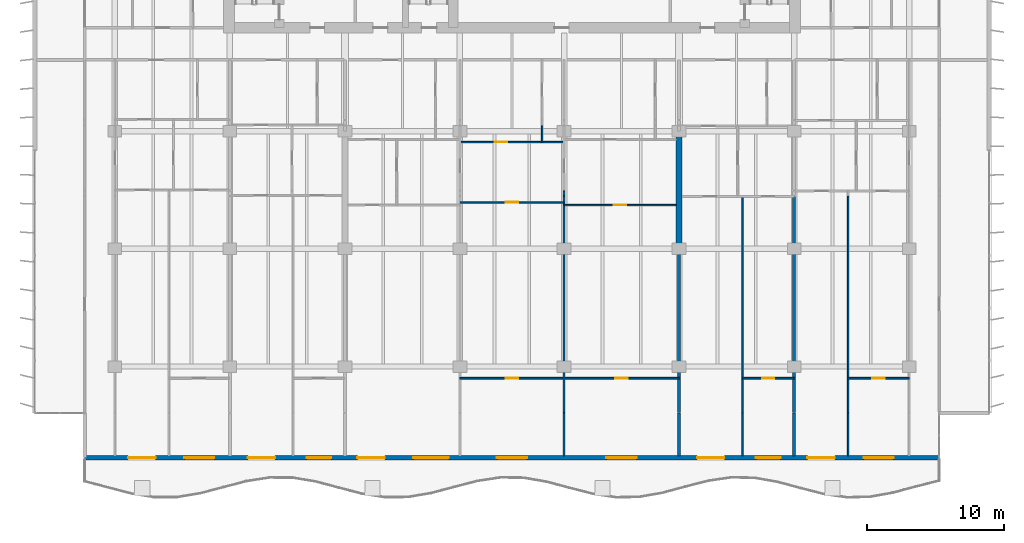
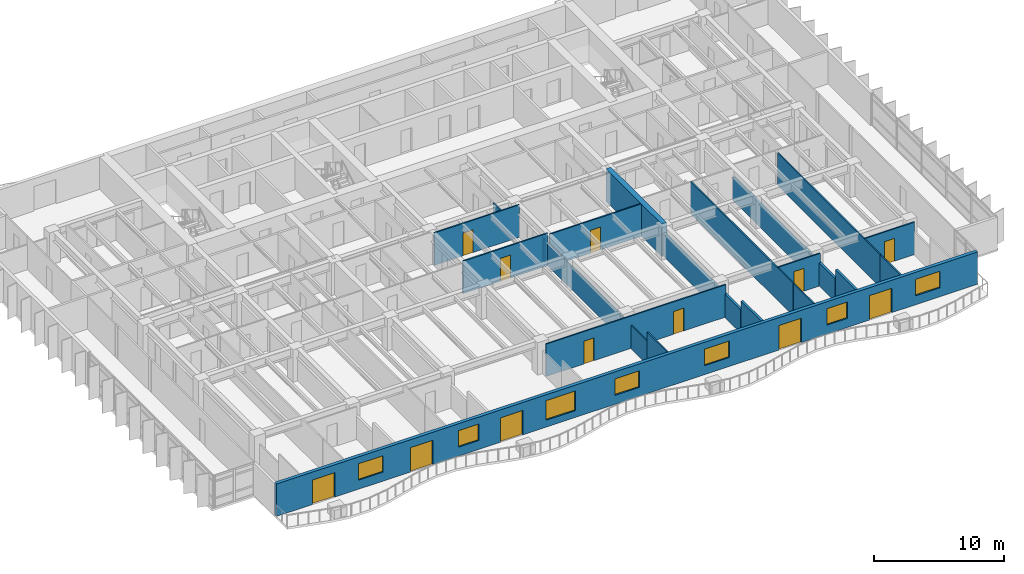
# One storey, part 8 of 17: 20 walls, 12 doors, 7 windows, 19 openings.
"""IFC4 building model written with IfcOpenShell, lengths in metres."""

from ifc_helpers import new_model, si_unit, direction, frame, frame_2d, origin, place, context, subcontext, project, spatial, rectangle, extrude, material, layer, layer_set, type_object, element, fill, save


model = new_model("IFC4")

# Units and contexts
model_context = context("Model", 3, precision=1e-05, world=origin(), true_north=direction((0.0, 1.0)))
body_context = subcontext(model_context, "Body", "Model", "MODEL_VIEW")
ifc_project = project(units=[si_unit("LENGTHUNIT", "METRE"), si_unit("AREAUNIT", "SQUARE_METRE"), si_unit("VOLUMEUNIT", "CUBIC_METRE"), si_unit("PLANEANGLEUNIT", "RADIAN"), si_unit("MASSUNIT", "GRAM", prefix="KILO")], contexts=[model_context])

# Site, building, storey
site_placement = place(None, origin())
site = spatial("IfcSite", under=ifc_project, at=site_placement, CompositionType="ELEMENT")
building_placement = place(site_placement, origin())
building = spatial("IfcBuilding", under=site, at=building_placement, Name="Caelmar Bay Residences", CompositionType="ELEMENT")
storey_placement = place(building_placement, frame((0.0, 0.0, 105.89990234375)))
storey = spatial("IfcBuildingStorey", under=building, at=storey_placement, Name="L28", CompositionType="ELEMENT", Elevation=105.89990234375)

# Wall
ifc_material_1 = material(Name="Concrete f'c 55 MPa (8,000 psi)", Category="concrete")
ifc_layer_1 = layer(ifc_material_1, 0.449951171875)
ifc_layer_set_1 = layer_set([ifc_layer_1], Name="Concrete f'c 55 MPa (8,000 psi)")
wall_type_1 = type_object("IfcWallType", Name="SW-XSLB-450", PredefinedType="SHEAR", material=ifc_layer_set_1)
wall_1_placement = place(storey_placement, frame((51.10009765625, 20.800048828125, 0.0), z_axis=(0.0, 0.0, 1.0), x_axis=(0.0, 1.0, 0.0)))
element("IfcWall", 1, at=wall_1_placement, inside=storey, type_object=wall_type_1, Name="L28 Transverse Cross-Slab Shear Wall E8", PredefinedType="SHEAR", context=body_context, shape_type="SweptSolid", body=[
    extrude(rectangle(XDim=8.599853515625, YDim=0.449951171875, at=frame_2d((4.2998046875, 0.0))), origin(), (0.0, 0.0, 1.0), 3.050048828125),
])

# Wall, openings, doors, windows
ifc_material_2 = material(Name="Precast concrete f'c 40 MPa (6,000 psi)", Category="concrete")
ifc_layer_2 = layer(ifc_material_2, 0.300048828125)
ifc_layer_set_2 = layer_set([ifc_layer_2], Name="Precast concrete f'c 40 MPa (6,000 psi)")
wall_type_2 = type_object("IfcWallType", Name="W-EXT-300", PredefinedType="STANDARD", material=ifc_layer_set_2)
wall_2_placement = place(storey_placement, frame((70.10009765625, 5.550048828125, 0.0), z_axis=(0.0, 0.0, 1.0), x_axis=(-1.0, 0.0, 0.0)))
wall_2 = element("IfcWall", 2, at=wall_2_placement, inside=storey, type_object=wall_type_2, Name="L28 South Bayfront Exterior Wall", PredefinedType="STANDARD", context=body_context, shape_type="SweptSolid", body=[
    extrude(rectangle(XDim=62.400146484375, YDim=0.300048828125, at=frame_2d((31.2001953125, 0.0))), origin(), (0.0, 0.0, 1.0), 3.050048828125),
])
opening_1_placement = place(wall_2_placement, frame((57.22607421875, 0.0, 0.0)))
opening_1 = element("IfcOpeningElement", 3, at=opening_1_placement, cuts=wall_2, Name="Opening L28-BD01", PredefinedType="OPENING", context=body_context, shape_type="SweptSolid", body=[
    extrude(rectangle(XDim=2.0, YDim=2.300048828125, at=frame_2d((1.0, 1.14990234375))), frame((0.0, 0.159912109375, 0.0), z_axis=(0.0, -1.0, 0.0), x_axis=(1.0, 0.0, 0.0)), (0.0, 0.0, 1.0), 0.320068359375),
])
opening_2_placement = place(wall_2_placement, frame((52.926025390625, 0.0, 0.85009765625)))
opening_2 = element("IfcOpeningElement", 4, at=opening_2_placement, cuts=wall_2, Name="Opening WN2", PredefinedType="OPENING", context=body_context, shape_type="SweptSolid", body=[
    extrude(rectangle(XDim=2.199951171875, YDim=1.550048828125, at=frame_2d((1.10009765625, 0.77490234375))), frame((0.0, 0.159912109375, 0.0), z_axis=(0.0, -1.0, 0.0), x_axis=(1.0, 0.0, 0.0)), (0.0, 0.0, 1.0), 0.320068359375),
])
opening_3_placement = place(wall_2_placement, frame((48.489990234375, 0.0, 0.0)))
opening_3 = element("IfcOpeningElement", 5, at=opening_3_placement, cuts=wall_2, Name="Opening L28-BD02", PredefinedType="OPENING", context=body_context, shape_type="SweptSolid", body=[
    extrude(rectangle(XDim=2.0, YDim=2.300048828125, at=frame_2d((1.0, 1.14990234375))), frame((0.0, 0.159912109375, 0.0), z_axis=(0.0, -1.0, 0.0), x_axis=(1.0, 0.0, 0.0)), (0.0, 0.0, 1.0), 0.320068359375),
])
opening_4_placement = place(wall_2_placement, frame((44.389892578125, 0.0, 0.85009765625)))
opening_4 = element("IfcOpeningElement", 6, at=opening_4_placement, cuts=wall_2, Name="Opening WN1", PredefinedType="OPENING", context=body_context, shape_type="SweptSolid", body=[
    extrude(rectangle(XDim=1.800048828125, YDim=1.550048828125, at=frame_2d((0.89990234375, 0.77490234375))), frame((0.0, 0.159912109375, 0.0), z_axis=(0.0, -1.0, 0.0), x_axis=(1.0, 0.0, 0.0)), (0.0, 0.0, 1.0), 0.320068359375),
])
opening_5_placement = place(wall_2_placement, frame((40.489990234375, 0.0, 0.0)))
opening_5 = element("IfcOpeningElement", 7, at=opening_5_placement, cuts=wall_2, Name="Opening L28-BD03", PredefinedType="OPENING", context=body_context, shape_type="SweptSolid", body=[
    extrude(rectangle(XDim=2.0, YDim=2.300048828125, at=frame_2d((1.0, 1.14990234375))), frame((0.0, 0.159912109375, 0.0), z_axis=(0.0, -1.0, 0.0), x_axis=(1.0, 0.0, 0.0)), (0.0, 0.0, 1.0), 0.320068359375),
])
opening_6_placement = place(wall_2_placement, frame((35.81005859375, 0.0, 0.64990234375)))
opening_6 = element("IfcOpeningElement", 8, at=opening_6_placement, cuts=wall_2, Name="Opening WN3", PredefinedType="OPENING", context=body_context, shape_type="SweptSolid", body=[
    extrude(rectangle(XDim=2.60009765625, YDim=1.85009765625, at=frame_2d((1.300048828125, 0.925048828125))), frame((0.0, 0.159912109375, 0.0), z_axis=(0.0, -1.0, 0.0), x_axis=(1.0, 0.0, 0.0)), (0.0, 0.0, 1.0), 0.320068359375),
])
opening_7_placement = place(wall_2_placement, frame((30.10009765625, 0.0, 0.85009765625)))
opening_7 = element("IfcOpeningElement", 9, at=opening_7_placement, cuts=wall_2, Name="Opening WN2", PredefinedType="OPENING", context=body_context, shape_type="SweptSolid", body=[
    extrude(rectangle(XDim=2.199951171875, YDim=1.550048828125, at=frame_2d((1.10009765625, 0.77490234375))), frame((0.0, 0.159912109375, 0.0), z_axis=(0.0, -1.0, 0.0), x_axis=(1.0, 0.0, 0.0)), (0.0, 0.0, 1.0), 0.320068359375),
])
opening_8_placement = place(wall_2_placement, frame((22.10009765625, 0.0, 0.85009765625)))
opening_8 = element("IfcOpeningElement", 10, at=opening_8_placement, cuts=wall_2, Name="Opening WN2", PredefinedType="OPENING", context=body_context, shape_type="SweptSolid", body=[
    extrude(rectangle(XDim=2.199951171875, YDim=1.550048828125, at=frame_2d((1.10009765625, 0.77490234375))), frame((0.0, 0.159912109375, 0.0), z_axis=(0.0, -1.0, 0.0), x_axis=(1.0, 0.0, 0.0)), (0.0, 0.0, 1.0), 0.320068359375),
])
opening_9_placement = place(wall_2_placement, frame((15.68994140625, 0.0, 0.0)))
opening_9 = element("IfcOpeningElement", 11, at=opening_9_placement, cuts=wall_2, Name="Opening L28-BD04", PredefinedType="OPENING", context=body_context, shape_type="SweptSolid", body=[
    extrude(rectangle(XDim=2.0, YDim=2.300048828125, at=frame_2d((1.0, 1.14990234375))), frame((0.0, 0.159912109375, 0.0), z_axis=(0.0, -1.0, 0.0), x_axis=(1.0, 0.0, 0.0)), (0.0, 0.0, 1.0), 0.320068359375),
])
opening_10_placement = place(wall_2_placement, frame((11.590087890625, 0.0, 0.85009765625)))
opening_10 = element("IfcOpeningElement", 12, at=opening_10_placement, cuts=wall_2, Name="Opening WN1", PredefinedType="OPENING", context=body_context, shape_type="SweptSolid", body=[
    extrude(rectangle(XDim=1.800048828125, YDim=1.550048828125, at=frame_2d((0.89990234375, 0.77490234375))), frame((0.0, 0.159912109375, 0.0), z_axis=(0.0, -1.0, 0.0), x_axis=(1.0, 0.0, 0.0)), (0.0, 0.0, 1.0), 0.320068359375),
])
opening_11_placement = place(wall_2_placement, frame((7.6259765625, 0.0, 0.0)))
opening_11 = element("IfcOpeningElement", 13, at=opening_11_placement, cuts=wall_2, Name="Opening L28-BD05", PredefinedType="OPENING", context=body_context, shape_type="SweptSolid", body=[
    extrude(rectangle(XDim=2.0, YDim=2.300048828125, at=frame_2d((1.0, 1.14990234375))), frame((0.0, 0.159912109375, 0.0), z_axis=(0.0, -1.0, 0.0), x_axis=(1.0, 0.0, 0.0)), (0.0, 0.0, 1.0), 0.320068359375),
])
opening_12_placement = place(wall_2_placement, frame((3.325927734375, 0.0, 0.85009765625)))
opening_12 = element("IfcOpeningElement", 14, at=opening_12_placement, cuts=wall_2, Name="Opening WN2", PredefinedType="OPENING", context=body_context, shape_type="SweptSolid", body=[
    extrude(rectangle(XDim=2.199951171875, YDim=1.550048828125, at=frame_2d((1.10009765625, 0.77490234375))), frame((0.0, 0.159912109375, 0.0), z_axis=(0.0, -1.0, 0.0), x_axis=(1.0, 0.0, 0.0)), (0.0, 0.0, 1.0), 0.320068359375),
])
ifc_material_3 = material(Name="Anodised bronze thermally broken sliding glass door", Category="glass")
ifc_layer_3 = layer(ifc_material_3, 0.050048828125)
ifc_layer_set_3 = layer_set([ifc_layer_3], Name="Anodised bronze thermally broken sliding glass door")
door_type_1 = type_object("IfcDoorType", Name="D-BAL-2000", OperationType="DOUBLE_DOOR_SLIDING", PredefinedType="DOOR", material=ifc_layer_set_3)
door_1_placement = place(opening_1_placement, origin())
door_1 = element("IfcDoor", 15, at=door_1_placement, inside=storey, type_object=door_type_1, Name="L28 Residence 01 Penthouse Living Salon Balcony Door", OperationType="DOUBLE_DOOR_SLIDING", OverallHeight=2.300048828125, OverallWidth=2.0, PredefinedType="DOOR", context=body_context, shape_type="SweptSolid", body=[
    extrude(rectangle(XDim=2.0, YDim=2.300048828125, at=frame_2d((1.0, 1.14990234375))), frame((0.0, 0.02490234375, 0.0), z_axis=(0.0, -1.0, 0.0), x_axis=(1.0, 0.0, 0.0)), (0.0, 0.0, 1.0), 0.050048828125),
])
fill(opening_1, door_1)
door_2_placement = place(opening_3_placement, origin())
door_2 = element("IfcDoor", 16, at=door_2_placement, inside=storey, type_object=door_type_1, Name="L28 Residence 02 Penthouse Living Salon Balcony Door", OperationType="DOUBLE_DOOR_SLIDING", OverallHeight=2.300048828125, OverallWidth=2.0, PredefinedType="DOOR", context=body_context, shape_type="SweptSolid", body=[
    extrude(rectangle(XDim=2.0, YDim=2.300048828125, at=frame_2d((1.0, 1.14990234375))), frame((0.0, 0.02490234375, 0.0), z_axis=(0.0, -1.0, 0.0), x_axis=(1.0, 0.0, 0.0)), (0.0, 0.0, 1.0), 0.050048828125),
])
fill(opening_3, door_2)
door_3_placement = place(opening_5_placement, origin())
door_3 = element("IfcDoor", 17, at=door_3_placement, inside=storey, type_object=door_type_1, Name="L28 Residence 03 Penthouse Living Salon Balcony Door", OperationType="DOUBLE_DOOR_SLIDING", OverallHeight=2.300048828125, OverallWidth=2.0, PredefinedType="DOOR", context=body_context, shape_type="SweptSolid", body=[
    extrude(rectangle(XDim=2.0, YDim=2.300048828125, at=frame_2d((1.0, 1.14990234375))), frame((0.0, 0.02490234375, 0.0), z_axis=(0.0, -1.0, 0.0), x_axis=(1.0, 0.0, 0.0)), (0.0, 0.0, 1.0), 0.050048828125),
])
fill(opening_5, door_3)
door_4_placement = place(opening_9_placement, origin())
door_4 = element("IfcDoor", 18, at=door_4_placement, inside=storey, type_object=door_type_1, Name="L28 Residence 04 Penthouse Living Salon Balcony Door", OperationType="DOUBLE_DOOR_SLIDING", OverallHeight=2.300048828125, OverallWidth=2.0, PredefinedType="DOOR", context=body_context, shape_type="SweptSolid", body=[
    extrude(rectangle(XDim=2.0, YDim=2.300048828125, at=frame_2d((1.0, 1.14990234375))), frame((0.0, 0.02490234375, 0.0), z_axis=(0.0, -1.0, 0.0), x_axis=(1.0, 0.0, 0.0)), (0.0, 0.0, 1.0), 0.050048828125),
])
fill(opening_9, door_4)
door_5_placement = place(opening_11_placement, origin())
door_5 = element("IfcDoor", 19, at=door_5_placement, inside=storey, type_object=door_type_1, Name="L28 Residence 05 Penthouse Living Salon Balcony Door", OperationType="DOUBLE_DOOR_SLIDING", OverallHeight=2.300048828125, OverallWidth=2.0, PredefinedType="DOOR", context=body_context, shape_type="SweptSolid", body=[
    extrude(rectangle(XDim=2.0, YDim=2.300048828125, at=frame_2d((1.0, 1.14990234375))), frame((0.0, 0.02490234375, 0.0), z_axis=(0.0, -1.0, 0.0), x_axis=(1.0, 0.0, 0.0)), (0.0, 0.0, 1.0), 0.050048828125),
])
fill(opening_11, door_5)
ifc_material_4 = material(Name="Bronze aluminium frame with laminated low-E glass", Category="aluminium")
ifc_layer_4 = layer(ifc_material_4, 0.06005859375)
ifc_layer_set_4 = layer_set([ifc_layer_4], Name="Bronze aluminium frame with laminated low-E glass")
window_type_1 = type_object("IfcWindowType", Name="WIN-BR-1800", PartitioningType="SINGLE_PANEL", PredefinedType="WINDOW", material=ifc_layer_set_4)
window_1_placement = place(opening_4_placement, origin())
window_1 = element("IfcWindow", 20, at=window_1_placement, inside=storey, type_object=window_type_1, Name="L28 Residence 02 Primary Bedroom Window", OverallHeight=1.550048828125, OverallWidth=1.800048828125, PartitioningType="SINGLE_PANEL", PredefinedType="WINDOW", context=body_context, shape_type="SweptSolid", body=[
    extrude(rectangle(XDim=1.800048828125, YDim=1.550048828125, at=frame_2d((0.89990234375, 0.77490234375))), frame((0.0, 0.030029296875, 0.0), z_axis=(0.0, -1.0, 0.0), x_axis=(1.0, 0.0, 0.0)), (0.0, 0.0, 1.0), 0.06005859375),
])
fill(opening_4, window_1)
window_2_placement = place(opening_10_placement, origin())
window_2 = element("IfcWindow", 21, at=window_2_placement, inside=storey, type_object=window_type_1, Name="L28 Residence 04 Primary Bedroom Window", OverallHeight=1.550048828125, OverallWidth=1.800048828125, PartitioningType="SINGLE_PANEL", PredefinedType="WINDOW", context=body_context, shape_type="SweptSolid", body=[
    extrude(rectangle(XDim=1.800048828125, YDim=1.550048828125, at=frame_2d((0.89990234375, 0.77490234375))), frame((0.0, 0.030029296875, 0.0), z_axis=(0.0, -1.0, 0.0), x_axis=(1.0, 0.0, 0.0)), (0.0, 0.0, 1.0), 0.06005859375),
])
fill(opening_10, window_2)
ifc_layer_5 = layer(ifc_material_4, 0.06005859375)
ifc_layer_set_5 = layer_set([ifc_layer_5], Name="Bronze aluminium frame with laminated low-E glass")
window_type_2 = type_object("IfcWindowType", Name="WIN-BR-2200", PartitioningType="SINGLE_PANEL", PredefinedType="WINDOW", material=ifc_layer_set_5)
window_3_placement = place(opening_2_placement, origin())
window_3 = element("IfcWindow", 22, at=window_3_placement, inside=storey, type_object=window_type_2, Name="L28 Residence 01 Primary Bedroom Window", OverallHeight=1.550048828125, OverallWidth=2.199951171875, PartitioningType="SINGLE_PANEL", PredefinedType="WINDOW", context=body_context, shape_type="SweptSolid", body=[
    extrude(rectangle(XDim=2.199951171875, YDim=1.550048828125, at=frame_2d((1.10009765625, 0.77490234375))), frame((0.0, 0.030029296875, 0.0), z_axis=(0.0, -1.0, 0.0), x_axis=(1.0, 0.0, 0.0)), (0.0, 0.0, 1.0), 0.06005859375),
])
fill(opening_2, window_3)
window_4_placement = place(opening_7_placement, origin())
window_4 = element("IfcWindow", 23, at=window_4_placement, inside=storey, type_object=window_type_2, Name="L28 Residence 03 Primary Bedroom 1 Window", OverallHeight=1.550048828125, OverallWidth=2.199951171875, PartitioningType="SINGLE_PANEL", PredefinedType="WINDOW", context=body_context, shape_type="SweptSolid", body=[
    extrude(rectangle(XDim=2.199951171875, YDim=1.550048828125, at=frame_2d((1.10009765625, 0.77490234375))), frame((0.0, 0.030029296875, 0.0), z_axis=(0.0, -1.0, 0.0), x_axis=(1.0, 0.0, 0.0)), (0.0, 0.0, 1.0), 0.06005859375),
])
fill(opening_7, window_4)
window_5_placement = place(opening_8_placement, origin())
window_5 = element("IfcWindow", 24, at=window_5_placement, inside=storey, type_object=window_type_2, Name="L28 Residence 03 Primary Bedroom 2 Window", OverallHeight=1.550048828125, OverallWidth=2.199951171875, PartitioningType="SINGLE_PANEL", PredefinedType="WINDOW", context=body_context, shape_type="SweptSolid", body=[
    extrude(rectangle(XDim=2.199951171875, YDim=1.550048828125, at=frame_2d((1.10009765625, 0.77490234375))), frame((0.0, 0.030029296875, 0.0), z_axis=(0.0, -1.0, 0.0), x_axis=(1.0, 0.0, 0.0)), (0.0, 0.0, 1.0), 0.06005859375),
])
fill(opening_8, window_5)
window_6_placement = place(opening_12_placement, origin())
window_6 = element("IfcWindow", 25, at=window_6_placement, inside=storey, type_object=window_type_2, Name="L28 Residence 05 Primary Bedroom Window", OverallHeight=1.550048828125, OverallWidth=2.199951171875, PartitioningType="SINGLE_PANEL", PredefinedType="WINDOW", context=body_context, shape_type="SweptSolid", body=[
    extrude(rectangle(XDim=2.199951171875, YDim=1.550048828125, at=frame_2d((1.10009765625, 0.77490234375))), frame((0.0, 0.030029296875, 0.0), z_axis=(0.0, -1.0, 0.0), x_axis=(1.0, 0.0, 0.0)), (0.0, 0.0, 1.0), 0.06005859375),
])
fill(opening_12, window_6)
ifc_layer_6 = layer(ifc_material_4, 0.06005859375)
ifc_layer_set_6 = layer_set([ifc_layer_6], Name="Bronze aluminium frame with laminated low-E glass")
window_type_3 = type_object("IfcWindowType", Name="WIN-LIV-2600", PartitioningType="SINGLE_PANEL", PredefinedType="WINDOW", material=ifc_layer_set_6)
window_7_placement = place(opening_6_placement, origin())
window_7 = element("IfcWindow", 26, at=window_7_placement, inside=storey, type_object=window_type_3, Name="L28 Residence 03 Penthouse Living Salon Panoramic Window", OverallHeight=1.85009765625, OverallWidth=2.60009765625, PartitioningType="SINGLE_PANEL", PredefinedType="WINDOW", context=body_context, shape_type="SweptSolid", body=[
    extrude(rectangle(XDim=2.60009765625, YDim=1.85009765625, at=frame_2d((1.300048828125, 0.925048828125))), frame((0.0, 0.030029296875, 0.0), z_axis=(0.0, -1.0, 0.0), x_axis=(1.0, 0.0, 0.0)), (0.0, 0.0, 1.0), 0.06005859375),
])
fill(opening_6, window_7)

# Walls
ifc_material_5 = material(Name="Acoustic metal-stud gypsum partition 120 mm")
ifc_layer_7 = layer(ifc_material_5, 0.1201171875)
ifc_layer_set_7 = layer_set([ifc_layer_7], Name="Acoustic metal-stud gypsum partition 120 mm")
wall_type_3 = type_object("IfcWallType", Name="W-PRT-120", PredefinedType="PARTITIONING", material=ifc_layer_set_7)
wall_3_placement = place(storey_placement, frame((41.10009765625, 28.60009765625, 0.0), z_axis=(0.0, 0.0, 1.0), x_axis=(0.0, 1.0, 0.0)))
element("IfcWall", 27, at=wall_3_placement, inside=storey, type_object=wall_type_3, Name="L28 Partition Wall V060", PredefinedType="PARTITIONING", context=body_context, shape_type="SweptSolid", body=[
    extrude(rectangle(XDim=1.179931640625, YDim=0.1201171875, at=frame_2d((0.58984375, 0.0))), origin(), (0.0, 0.0, 1.0), 3.050048828125),
])
wall_4_placement = place(storey_placement, frame((42.699951171875, 5.695068359375, 0.0), z_axis=(0.0, 0.0, 1.0), x_axis=(0.0, 1.0, 0.0)))
element("IfcWall", 28, at=wall_4_placement, inside=storey, type_object=wall_type_3, Name="L28 Partition Wall V063", PredefinedType="PARTITIONING", context=body_context, shape_type="SweptSolid", body=[
    extrude(rectangle(XDim=3.10498046875, YDim=0.1201171875, at=frame_2d((1.552490234375, 0.0))), origin(), (0.0, 0.0, 1.0), 3.050048828125),
])
wall_5_placement = place(storey_placement, frame((42.699951171875, 8.840087890625, 0.0), z_axis=(0.0, 0.0, 1.0), x_axis=(0.0, 1.0, 0.0)))
element("IfcWall", 29, at=wall_5_placement, inside=storey, type_object=wall_type_3, Name="L28 Partition Wall V064", PredefinedType="PARTITIONING", context=body_context, shape_type="SweptSolid", body=[
    extrude(rectangle(XDim=15.789794921875, YDim=0.1201171875, at=frame_2d((7.89501953125, 0.0))), origin(), (0.0, 0.0, 1.0), 2.174072265625),
])
wall_6_placement = place(storey_placement, frame((42.699951171875, 24.68994140625, 0.0), z_axis=(0.0, 0.0, 1.0), x_axis=(0.0, 1.0, 0.0)))
element("IfcWall", 30, at=wall_6_placement, inside=storey, type_object=wall_type_3, Name="L28 Partition Wall V065", PredefinedType="PARTITIONING", context=body_context, shape_type="SweptSolid", body=[
    extrude(rectangle(XDim=0.340087890625, YDim=0.1201171875, at=frame_2d((0.169921875, 0.0))), origin(), (0.0, 0.0, 1.0), 2.174072265625),
])
wall_7_placement = place(storey_placement, frame((55.719970703125, 5.695068359375, 0.0), z_axis=(0.0, 0.0, 1.0), x_axis=(0.0, 1.0, 0.0)))
element("IfcWall", 31, at=wall_7_placement, inside=storey, type_object=wall_type_3, Name="L28 Partition Wall V087", PredefinedType="PARTITIONING", context=body_context, shape_type="SweptSolid", body=[
    extrude(rectangle(XDim=3.10498046875, YDim=0.1201171875, at=frame_2d((1.552490234375, 0.0))), origin(), (0.0, 0.0, 1.0), 3.050048828125),
])
wall_8_placement = place(storey_placement, frame((55.719970703125, 8.840087890625, 0.0), z_axis=(0.0, 0.0, 1.0), x_axis=(0.0, 1.0, 0.0)))
element("IfcWall", 32, at=wall_8_placement, inside=storey, type_object=wall_type_3, Name="L28 Partition Wall V088", PredefinedType="PARTITIONING", context=body_context, shape_type="SweptSolid", body=[
    extrude(rectangle(XDim=15.789794921875, YDim=0.1201171875, at=frame_2d((7.89501953125, 0.0))), origin(), (0.0, 0.0, 1.0), 3.050048828125),
])
wall_9_placement = place(storey_placement, frame((63.447998046875, 5.695068359375, 0.0), z_axis=(0.0, 0.0, 1.0), x_axis=(0.0, 1.0, 0.0)))
element("IfcWall", 33, at=wall_9_placement, inside=storey, type_object=wall_type_3, Name="L28 Partition Wall V099", PredefinedType="PARTITIONING", context=body_context, shape_type="SweptSolid", body=[
    extrude(rectangle(XDim=3.10498046875, YDim=0.1201171875, at=frame_2d((1.552490234375, 0.0))), origin(), (0.0, 0.0, 1.0), 3.050048828125),
])
wall_10_placement = place(storey_placement, frame((63.447998046875, 8.840087890625, 0.0), z_axis=(0.0, 0.0, 1.0), x_axis=(0.0, 1.0, 0.0)))
element("IfcWall", 34, at=wall_10_placement, inside=storey, type_object=wall_type_3, Name="L28 Partition Wall V100", PredefinedType="PARTITIONING", context=body_context, shape_type="SweptSolid", body=[
    extrude(rectangle(XDim=15.789794921875, YDim=0.1201171875, at=frame_2d((7.89501953125, 0.0))), origin(), (0.0, 0.0, 1.0), 3.050048828125),
])

# Wall, openings, doors
wall_11_placement = place(storey_placement, frame((35.10009765625, 11.35009765625, 0.0), z_axis=(0.0, 0.0, 1.0), x_axis=(1.0, 0.0, 0.0)))
wall_11 = element("IfcWall", 35, at=wall_11_placement, inside=storey, type_object=wall_type_3, Name="L28 Partition Wall H122", PredefinedType="PARTITIONING", context=body_context, shape_type="SweptSolid", body=[
    extrude(rectangle(XDim=16.0, YDim=0.1201171875, at=frame_2d((8.0, 0.0))), origin(), (0.0, 0.0, 1.0), 3.050048828125),
])
opening_13_placement = place(wall_11_placement, frame((3.35009765625, 0.0, 0.0)))
opening_13 = element("IfcOpeningElement", 36, at=opening_13_placement, cuts=wall_11, Name="Opening D-L28-148", PredefinedType="OPENING", context=body_context, shape_type="SweptSolid", body=[
    extrude(rectangle(XDim=0.89990234375, YDim=2.14990234375, at=frame_2d((0.449951171875, 1.074951171875))), frame((0.0, 0.070068359375, 0.0), z_axis=(0.0, -1.0, 0.0), x_axis=(1.0, 0.0, 0.0)), (0.0, 0.0, 1.0), 0.14013671875),
])
opening_14_placement = place(wall_11_placement, frame((11.35009765625, 0.0, 0.0)))
opening_14 = element("IfcOpeningElement", 37, at=opening_14_placement, cuts=wall_11, Name="Opening D-L28-153", PredefinedType="OPENING", context=body_context, shape_type="SweptSolid", body=[
    extrude(rectangle(XDim=0.89990234375, YDim=2.14990234375, at=frame_2d((0.449951171875, 1.074951171875))), frame((0.0, 0.070068359375, 0.0), z_axis=(0.0, -1.0, 0.0), x_axis=(1.0, 0.0, 0.0)), (0.0, 0.0, 1.0), 0.14013671875),
])
ifc_material_6 = material(Name="Solid walnut timber interior door leaf and frame", Category="wood")
ifc_layer_8 = layer(ifc_material_6, 0.050048828125)
ifc_layer_set_8 = layer_set([ifc_layer_8], Name="Solid walnut timber interior door leaf and frame")
door_type_2 = type_object("IfcDoorType", Name="D-ROOM-900", OperationType="NOTDEFINED", PredefinedType="DOOR", material=ifc_layer_set_8)
door_6_placement = place(opening_13_placement, origin())
door_6 = element("IfcDoor", 38, at=door_6_placement, inside=storey, type_object=door_type_2, Name="L28 Residence 03 Primary Bedroom 1 Door", OperationType="SINGLE_SWING_RIGHT", OverallHeight=2.14990234375, OverallWidth=0.89990234375, PredefinedType="DOOR", context=body_context, shape_type="SweptSolid", body=[
    extrude(rectangle(XDim=0.89990234375, YDim=2.14990234375, at=frame_2d((0.449951171875, 1.074951171875))), frame((0.0, 0.02490234375, 0.0), z_axis=(0.0, -1.0, 0.0), x_axis=(1.0, 0.0, 0.0)), (0.0, 0.0, 1.0), 0.050048828125),
])
fill(opening_13, door_6)
door_7_placement = place(opening_14_placement, origin())
door_7 = element("IfcDoor", 39, at=door_7_placement, inside=storey, type_object=door_type_2, Name="L28 Residence 03 Primary Bedroom 2 Door", OperationType="SINGLE_SWING_LEFT", OverallHeight=2.14990234375, OverallWidth=0.89990234375, PredefinedType="DOOR", context=body_context, shape_type="SweptSolid", body=[
    extrude(rectangle(XDim=0.89990234375, YDim=2.14990234375, at=frame_2d((0.449951171875, 1.074951171875))), frame((0.0, 0.02490234375, 0.0), z_axis=(0.0, -1.0, 0.0), x_axis=(1.0, 0.0, 0.0)), (0.0, 0.0, 1.0), 0.050048828125),
])
fill(opening_14, door_7)

# Wall, opening, door
wall_12_placement = place(storey_placement, frame((55.719970703125, 11.35009765625, 0.0), z_axis=(0.0, 0.0, 1.0), x_axis=(1.0, 0.0, 0.0)))
wall_12 = element("IfcWall", 40, at=wall_12_placement, inside=storey, type_object=wall_type_3, Name="L28 Partition Wall H123", PredefinedType="PARTITIONING", context=body_context, shape_type="SweptSolid", body=[
    extrude(rectangle(XDim=3.780029296875, YDim=0.1201171875, at=frame_2d((1.89013671875, 0.0))), origin(), (0.0, 0.0, 1.0), 3.050048828125),
])
opening_15_placement = place(wall_12_placement, frame((1.43994140625, 0.0, 0.0)))
opening_15 = element("IfcOpeningElement", 41, at=opening_15_placement, cuts=wall_12, Name="Opening D-L28-160", PredefinedType="OPENING", context=body_context, shape_type="SweptSolid", body=[
    extrude(rectangle(XDim=0.89990234375, YDim=2.14990234375, at=frame_2d((0.449951171875, 1.074951171875))), frame((0.0, 0.070068359375, 0.0), z_axis=(0.0, -1.0, 0.0), x_axis=(1.0, 0.0, 0.0)), (0.0, 0.0, 1.0), 0.14013671875),
])
door_8_placement = place(opening_15_placement, origin())
door_8 = element("IfcDoor", 42, at=door_8_placement, inside=storey, type_object=door_type_2, Name="L28 Residence 04 Primary Bedroom Door", OperationType="SINGLE_SWING_RIGHT", OverallHeight=2.14990234375, OverallWidth=0.89990234375, PredefinedType="DOOR", context=body_context, shape_type="SweptSolid", body=[
    extrude(rectangle(XDim=0.89990234375, YDim=2.14990234375, at=frame_2d((0.449951171875, 1.074951171875))), frame((0.0, 0.02490234375, 0.0), z_axis=(0.0, -1.0, 0.0), x_axis=(1.0, 0.0, 0.0)), (0.0, 0.0, 1.0), 0.050048828125),
])
fill(opening_15, door_8)

wall_13_placement = place(storey_placement, frame((63.447998046875, 11.35009765625, 0.0), z_axis=(0.0, 0.0, 1.0), x_axis=(1.0, 0.0, 0.0)))
wall_13 = element("IfcWall", 43, at=wall_13_placement, inside=storey, type_object=wall_type_3, Name="L28 Partition Wall H124", PredefinedType="PARTITIONING", context=body_context, shape_type="SweptSolid", body=[
    extrude(rectangle(XDim=4.451904296875, YDim=0.1201171875, at=frame_2d((2.22607421875, 0.0))), origin(), (0.0, 0.0, 1.0), 3.050048828125),
])
opening_16_placement = place(wall_13_placement, frame((1.77587890625, 0.0, 0.0)))
opening_16 = element("IfcOpeningElement", 44, at=opening_16_placement, cuts=wall_13, Name="Opening D-L28-167", PredefinedType="OPENING", context=body_context, shape_type="SweptSolid", body=[
    extrude(rectangle(XDim=0.89990234375, YDim=2.14990234375, at=frame_2d((0.449951171875, 1.074951171875))), frame((0.0, 0.070068359375, 0.0), z_axis=(0.0, -1.0, 0.0), x_axis=(1.0, 0.0, 0.0)), (0.0, 0.0, 1.0), 0.14013671875),
])
door_9_placement = place(opening_16_placement, origin())
door_9 = element("IfcDoor", 45, at=door_9_placement, inside=storey, type_object=door_type_2, Name="L28 Residence 05 Primary Bedroom Door", OperationType="SINGLE_SWING_LEFT", OverallHeight=2.14990234375, OverallWidth=0.89990234375, PredefinedType="DOOR", context=body_context, shape_type="SweptSolid", body=[
    extrude(rectangle(XDim=0.89990234375, YDim=2.14990234375, at=frame_2d((0.449951171875, 1.074951171875))), frame((0.0, 0.02490234375, 0.0), z_axis=(0.0, -1.0, 0.0), x_axis=(1.0, 0.0, 0.0)), (0.0, 0.0, 1.0), 0.050048828125),
])
fill(opening_16, door_9)

wall_14_placement = place(storey_placement, frame((42.699951171875, 24.0, 0.0), z_axis=(0.0, 0.0, 1.0), x_axis=(1.0, 0.0, 0.0)))
wall_14 = element("IfcWall", 46, at=wall_14_placement, inside=storey, type_object=wall_type_3, Name="L28 Partition Wall H126", PredefinedType="PARTITIONING", context=body_context, shape_type="SweptSolid", body=[
    extrude(rectangle(XDim=8.179931640625, YDim=0.1201171875, at=frame_2d((4.08984375, 0.0))), origin(), (0.0, 0.0, 1.0), 3.050048828125),
])
opening_17_placement = place(wall_14_placement, frame((3.639892578125, 0.0, 0.0)))
opening_17 = element("IfcOpeningElement", 47, at=opening_17_placement, cuts=wall_14, Name="Opening D-L28-152", PredefinedType="OPENING", context=body_context, shape_type="SweptSolid", body=[
    extrude(rectangle(XDim=0.89990234375, YDim=2.14990234375, at=frame_2d((0.449951171875, 1.074951171875))), frame((0.0, 0.070068359375, 0.0), z_axis=(0.0, -1.0, 0.0), x_axis=(1.0, 0.0, 0.0)), (0.0, 0.0, 1.0), 0.14013671875),
])
door_10_placement = place(opening_17_placement, origin())
door_10 = element("IfcDoor", 48, at=door_10_placement, inside=storey, type_object=door_type_2, Name="L28 Residence 03 Penthouse Sitting Salon 2 Door", OperationType="SINGLE_SWING_RIGHT", OverallHeight=2.14990234375, OverallWidth=0.89990234375, PredefinedType="DOOR", context=body_context, shape_type="SweptSolid", body=[
    extrude(rectangle(XDim=0.89990234375, YDim=2.14990234375, at=frame_2d((0.449951171875, 1.074951171875))), frame((0.0, 0.02490234375, 0.0), z_axis=(0.0, -1.0, 0.0), x_axis=(1.0, 0.0, 0.0)), (0.0, 0.0, 1.0), 0.050048828125),
])
fill(opening_17, door_10)

wall_15_placement = place(storey_placement, frame((35.10498046875, 24.199951171875, 0.0), z_axis=(0.0, 0.0, 1.0), x_axis=(1.0, 0.0, 0.0)))
wall_15 = element("IfcWall", 49, at=wall_15_placement, inside=storey, type_object=wall_type_3, Name="L28 Partition Wall H127", PredefinedType="PARTITIONING", context=body_context, shape_type="SweptSolid", body=[
    extrude(rectangle(XDim=7.590087890625, YDim=0.1201171875, at=frame_2d((3.794921875, 0.0))), origin(), (0.0, 0.0, 1.0), 3.050048828125),
])
opening_18_placement = place(wall_15_placement, frame((3.344970703125, 0.0, 0.0)))
opening_18 = element("IfcOpeningElement", 50, at=opening_18_placement, cuts=wall_15, Name="Opening D-L28-147", PredefinedType="OPENING", context=body_context, shape_type="SweptSolid", body=[
    extrude(rectangle(XDim=0.89990234375, YDim=2.14990234375, at=frame_2d((0.449951171875, 1.074951171875))), frame((0.0, 0.070068359375, 0.0), z_axis=(0.0, -1.0, 0.0), x_axis=(1.0, 0.0, 0.0)), (0.0, 0.0, 1.0), 0.14013671875),
])
door_11_placement = place(opening_18_placement, origin())
door_11 = element("IfcDoor", 51, at=door_11_placement, inside=storey, type_object=door_type_2, Name="L28 Residence 03 Penthouse Sitting Salon 1 Door", OperationType="SINGLE_SWING_LEFT", OverallHeight=2.14990234375, OverallWidth=0.89990234375, PredefinedType="DOOR", context=body_context, shape_type="SweptSolid", body=[
    extrude(rectangle(XDim=0.89990234375, YDim=2.14990234375, at=frame_2d((0.449951171875, 1.074951171875))), frame((0.0, 0.02490234375, 0.0), z_axis=(0.0, -1.0, 0.0), x_axis=(1.0, 0.0, 0.0)), (0.0, 0.0, 1.0), 0.050048828125),
])
fill(opening_18, door_11)

wall_16_placement = place(storey_placement, frame((35.10009765625, 28.60009765625, 0.0), z_axis=(0.0, 0.0, 1.0), x_axis=(1.0, 0.0, 0.0)))
wall_16 = element("IfcWall", 52, at=wall_16_placement, inside=storey, type_object=wall_type_3, Name="L28 Partition Wall H132", PredefinedType="PARTITIONING", context=body_context, shape_type="SweptSolid", body=[
    extrude(rectangle(XDim=7.599853515625, YDim=0.1201171875, at=frame_2d((3.7998046875, 0.0))), origin(), (0.0, 0.0, 1.0), 3.050048828125),
])
opening_19_placement = place(wall_16_placement, frame((2.550048828125, 0.0, 0.0)))
opening_19 = element("IfcOpeningElement", 53, at=opening_19_placement, cuts=wall_16, Name="Opening D-L28-145", PredefinedType="OPENING", context=body_context, shape_type="SweptSolid", body=[
    extrude(rectangle(XDim=0.89990234375, YDim=2.14990234375, at=frame_2d((0.449951171875, 1.074951171875))), frame((0.0, 0.070068359375, 0.0), z_axis=(0.0, -1.0, 0.0), x_axis=(1.0, 0.0, 0.0)), (0.0, 0.0, 1.0), 0.14013671875),
])
door_12_placement = place(opening_19_placement, origin())
door_12 = element("IfcDoor", 54, at=door_12_placement, inside=storey, type_object=door_type_2, Name="L28 Residence 03 Breakfast Dining Room 1 Door", OperationType="SINGLE_SWING_LEFT", OverallHeight=2.14990234375, OverallWidth=0.89990234375, PredefinedType="DOOR", context=body_context, shape_type="SweptSolid", body=[
    extrude(rectangle(XDim=0.89990234375, YDim=2.14990234375, at=frame_2d((0.449951171875, 1.074951171875))), frame((0.0, 0.02490234375, 0.0), z_axis=(0.0, -1.0, 0.0), x_axis=(1.0, 0.0, 0.0)), (0.0, 0.0, 1.0), 0.050048828125),
])
fill(opening_19, door_12)

# Walls
ifc_material_7 = material(Name="Acoustic twin-stud fire-rated inter-tenancy partition 200 mm")
ifc_layer_9 = layer(ifc_material_7, 0.199951171875)
ifc_layer_set_9 = layer_set([ifc_layer_9], Name="Acoustic twin-stud fire-rated inter-tenancy partition 200 mm")
wall_type_4 = type_object("IfcWallType", Name="W-PTY-200", PredefinedType="PARTITIONING", material=ifc_layer_set_9)
wall_17_placement = place(storey_placement, frame((51.10009765625, 5.695068359375, 0.0), z_axis=(0.0, 0.0, 1.0), x_axis=(0.0, 1.0, 0.0)))
element("IfcWall", 55, at=wall_17_placement, inside=storey, type_object=wall_type_4, Name="L28 Partition Wall V078", PredefinedType="PARTITIONING", context=body_context, shape_type="SweptSolid", body=[
    extrude(rectangle(XDim=3.10498046875, YDim=0.199951171875, at=frame_2d((1.552490234375, 0.0))), origin(), (0.0, 0.0, 1.0), 3.050048828125),
])
wall_18_placement = place(storey_placement, frame((51.10009765625, 8.840087890625, 0.0), z_axis=(0.0, 0.0, 1.0), x_axis=(0.0, 1.0, 0.0)))
element("IfcWall", 56, at=wall_18_placement, inside=storey, type_object=wall_type_4, Name="L28 Partition Wall V079", PredefinedType="PARTITIONING", context=body_context, shape_type="SweptSolid", body=[
    extrude(rectangle(XDim=11.954833984375, YDim=0.199951171875, at=frame_2d((5.9775390625, 0.0))), origin(), (0.0, 0.0, 1.0), 2.174072265625),
])
wall_19_placement = place(storey_placement, frame((59.5, 5.695068359375, 0.0), z_axis=(0.0, 0.0, 1.0), x_axis=(0.0, 1.0, 0.0)))
element("IfcWall", 57, at=wall_19_placement, inside=storey, type_object=wall_type_4, Name="L28 Partition Wall V092", PredefinedType="PARTITIONING", context=body_context, shape_type="SweptSolid", body=[
    extrude(rectangle(XDim=3.10498046875, YDim=0.199951171875, at=frame_2d((1.552490234375, 0.0))), origin(), (0.0, 0.0, 1.0), 3.050048828125),
])
wall_20_placement = place(storey_placement, frame((59.5, 8.840087890625, 0.0), z_axis=(0.0, 0.0, 1.0), x_axis=(0.0, 1.0, 0.0)))
element("IfcWall", 58, at=wall_20_placement, inside=storey, type_object=wall_type_4, Name="L28 Partition Wall V093", PredefinedType="PARTITIONING", context=body_context, shape_type="SweptSolid", body=[
    extrude(rectangle(XDim=15.789794921875, YDim=0.199951171875, at=frame_2d((7.89501953125, 0.0))), origin(), (0.0, 0.0, 1.0), 2.174072265625),
])

save(model, "model.ifc")
